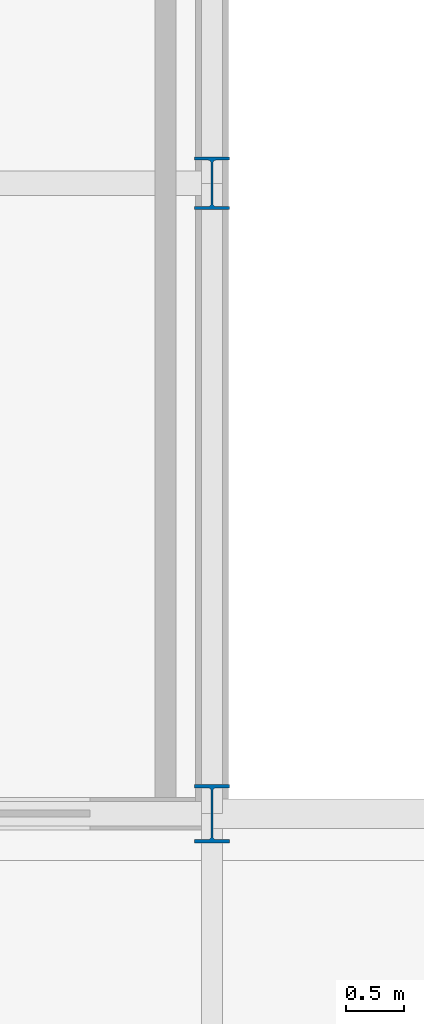
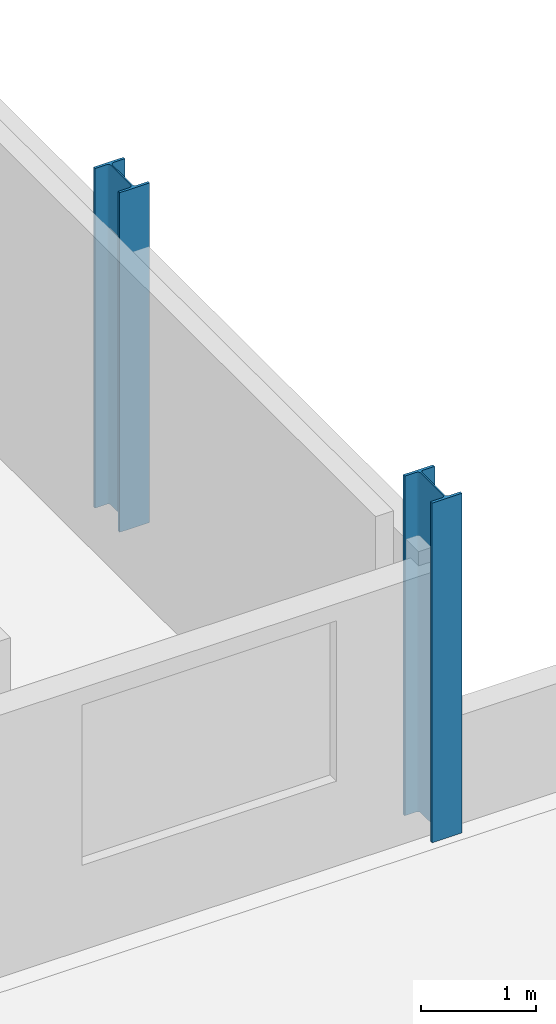
# One storey, part 5 of 36: 2 columns.
"""IFC4 building model written with IfcOpenShell, lengths in metres."""

from ifc_helpers import new_model, si_unit, direction, frame, origin, origin_2d, place, context, subcontext, project, spatial, i_section, extrude, material, material_profile, profile_set, type_object, element, save


model = new_model("IFC4")

# Units and contexts
model_context = context("Model", 3, precision=1e-05, world=origin(), true_north=direction((0.0, 1.0)))
body_context = subcontext(model_context, "Body", "Model", "MODEL_VIEW")
ifc_project = project(units=[si_unit("LENGTHUNIT", "METRE"), si_unit("AREAUNIT", "SQUARE_METRE"), si_unit("VOLUMEUNIT", "CUBIC_METRE"), si_unit("PLANEANGLEUNIT", "RADIAN"), si_unit("MASSUNIT", "GRAM", prefix="KILO")], contexts=[model_context])

# Site, building, storey
site_placement = place(None, origin())
site = spatial("IfcSite", under=ifc_project, at=site_placement, CompositionType="ELEMENT")
building_placement = place(site_placement, origin())
building = spatial("IfcBuilding", under=site, at=building_placement, Name="Sefraquen Railside Congress Hotel", CompositionType="ELEMENT")
storey_placement = place(building_placement, frame((0.0, 0.0, 24.60009765625)))
storey = spatial("IfcBuildingStorey", under=building, at=storey_placement, Name="L05", CompositionType="ELEMENT", Elevation=24.60009765625)

# Columns
ifc_material = material(Name="Steel S355JR", Category="steel")
ifc_material_profile_1 = material_profile(ifc_material, i_section(OverallWidth=0.300048828125, OverallDepth=0.449951171875, WebThickness=0.013916015625, FlangeThickness=0.02587890625, FilletRadius=0.027099609375, at=origin_2d()), Name="HEB 450")
ifc_profile_set_1 = profile_set([ifc_material_profile_1], Name="Steel S355JR")
column_type_1 = type_object("IfcColumnType", Name="TC-HEB-450", PredefinedType="COLUMN", material=ifc_profile_set_1)
column_1_placement = place(storey_placement, frame((120.0, 101.39990234375, 0.0), z_axis=(0.0, 0.0, 1.0), x_axis=(1.0, 0.0, 0.0)))
element("IfcColumn", 1, at=column_1_placement, inside=storey, type_object=column_type_1, Name="Structural column 16-N L05", PredefinedType="COLUMN", context=body_context, shape_type="SweptSolid", body=[
    extrude(i_section(OverallWidth=0.300048828125, OverallDepth=0.449951171875, WebThickness=0.013916015625, FlangeThickness=0.02587890625, FilletRadius=0.027099609375, at=origin_2d()), origin(), (0.0, 0.0, 1.0), 3.599853515625),
])
ifc_material_profile_2 = material_profile(ifc_material, i_section(OverallWidth=0.300048828125, OverallDepth=0.5, WebThickness=0.014404296875, FlangeThickness=0.028076171875, FilletRadius=0.027099609375, at=origin_2d()), Name="HEB 500")
ifc_profile_set_2 = profile_set([ifc_material_profile_2], Name="Steel S355JR")
column_type_2 = type_object("IfcColumnType", Name="TC-HEB-500", PredefinedType="COLUMN", material=ifc_profile_set_2)
column_2_placement = place(storey_placement, frame((120.0, 96.0, 0.0), z_axis=(0.0, 0.0, 1.0), x_axis=(1.0, 0.0, 0.0)))
element("IfcColumn", 2, at=column_2_placement, inside=storey, type_object=column_type_2, Name="Structural column 16-M L05", PredefinedType="COLUMN", context=body_context, shape_type="SweptSolid", body=[
    extrude(i_section(OverallWidth=0.300048828125, OverallDepth=0.5, WebThickness=0.014404296875, FlangeThickness=0.028076171875, FilletRadius=0.027099609375, at=origin_2d()), origin(), (0.0, 0.0, 1.0), 3.599853515625),
])

save(model, "model.ifc")
